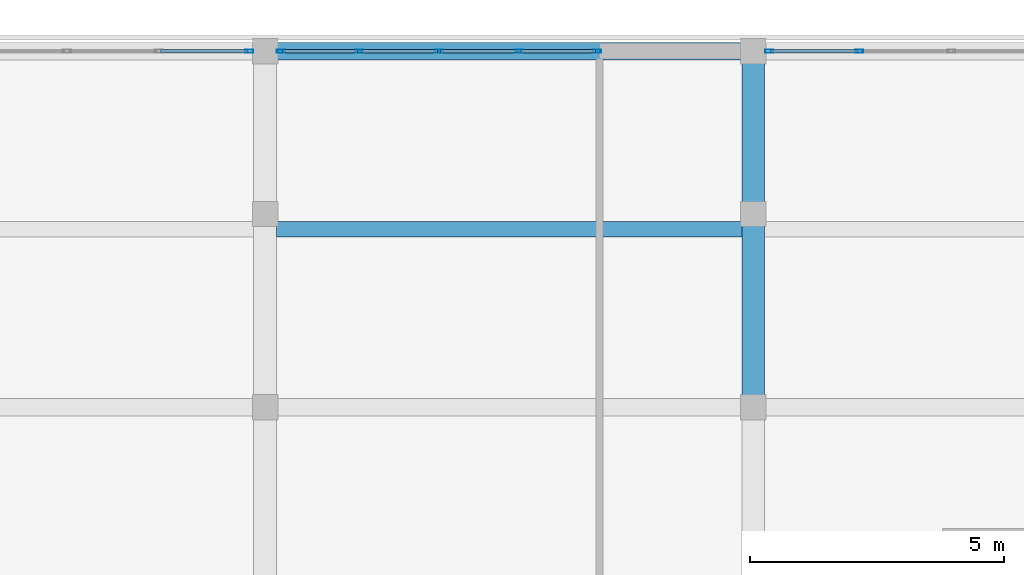
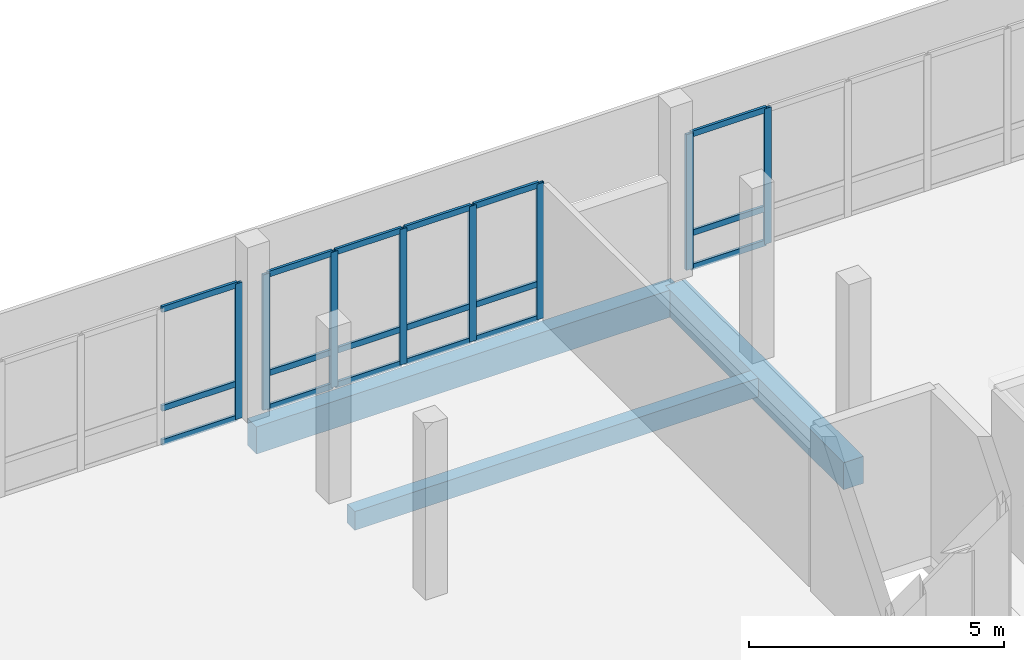
# One storey, part 15 of 29: 26 members, 3 beams, 3 elements without a shape of their own.
"""IFC4 building model written with IfcOpenShell, lengths in metres."""

from ifc_helpers import new_model, si_unit, direction, frame, origin, origin_2d, place, context, subcontext, project, spatial, rectangle, hollow_rectangle, extrude, material, material_profile, profile_set, type_object, element, aggregate, save


model = new_model("IFC4")

# Units and contexts
model_context = context("Model", 3, precision=1e-05, world=origin(), true_north=direction((0.0, 1.0)))
body_context = subcontext(model_context, "Body", "Model", "MODEL_VIEW")
ifc_project = project(units=[si_unit("LENGTHUNIT", "METRE"), si_unit("AREAUNIT", "SQUARE_METRE"), si_unit("VOLUMEUNIT", "CUBIC_METRE"), si_unit("PLANEANGLEUNIT", "RADIAN"), si_unit("MASSUNIT", "GRAM", prefix="KILO")], contexts=[model_context])

# Site, building, storey
site_placement = place(None, origin())
site = spatial("IfcSite", under=ifc_project, at=site_placement, CompositionType="ELEMENT")
building_placement = place(site_placement, origin())
building = spatial("IfcBuilding", under=site, at=building_placement, Name="Vondelvale Polytechnic", CompositionType="ELEMENT")
storey_placement = place(building_placement, frame((0.0, 0.0, 26.39990234375)))
storey = spatial("IfcBuildingStorey", under=building, at=storey_placement, Name="L06", CompositionType="ELEMENT", Elevation=26.39990234375)

# Beam
ifc_material_1 = material(Name="Concrete N40 (f'c = 40 MPa)", Category="concrete")
ifc_material_profile_1 = material_profile(ifc_material_1, rectangle(XDim=0.449951171875, YDim=0.64990234375, at=origin_2d()), Name="RC-BM-450x650")
ifc_profile_set_1 = profile_set([ifc_material_profile_1], Name="Concrete N40 (f'c = 40 MPa)")
beam_type_1 = type_object("IfcBeamType", Name="BM-RC450x650", PredefinedType="BEAM", material=ifc_profile_set_1)
beam_1_placement = place(storey_placement, frame((19.199951171875, 30.60009765625, -0.5498046875), z_axis=(0.0, 1.0, 0.0), x_axis=(-1.0, 0.0, 0.0)))
element("IfcBeam", 1, at=beam_1_placement, inside=storey, type_object=beam_type_1, Name="L06 B B-04", PredefinedType="BEAM", context=body_context, shape_type="SweptSolid", body=[
    extrude(rectangle(XDim=0.449951171875, YDim=0.64990234375, at=origin_2d()), origin(), (0.0, 0.0, 1.0), 7.0),
])

# Curtain wall, member
ifc_material_2 = material(Name="Anodised extruded aluminium 6063-T6", Category="aluminium")
curtain_wall_type = type_object("IfcCurtainWallType", Name="CW-STUDIO-NORTH", PredefinedType="NOTDEFINED", material=ifc_material_2)
curtain_wall_1_placement = place(storey_placement, origin())
curtain_wall_1 = element("IfcCurtainWall", 2, at=curtain_wall_1_placement, inside=storey, type_object=curtain_wall_type, Name="L06 architectural curtain wall CW-01-053", PredefinedType="NOTDEFINED")
ifc_material_profile_2 = material_profile(ifc_material_2, hollow_rectangle(XDim=0.06494140625, YDim=0.159912109375, WallThickness=0.0048828125, at=origin_2d()), Name="CW-MUL-160x65")
ifc_profile_set_2 = profile_set([ifc_material_profile_2], Name="Anodised extruded aluminium 6063-T6")
member_type_1 = type_object("IfcMemberType", Name="CW-MUL-65x160", PredefinedType="MULLION", material=ifc_profile_set_2)
member_1_placement = place(storey_placement, frame((9.28759765625, 37.60009765625, 0.0), z_axis=(0.0, 0.0, 1.0), x_axis=(0.0, 1.0, 0.0)))
member_1 = element("IfcMember", 3, at=member_1_placement, type_object=member_type_1, Name="CW-01-053 mullion 6", PredefinedType="MULLION", context=body_context, shape_type="SweptSolid", body=[
    extrude(hollow_rectangle(XDim=0.06494140625, YDim=0.159912109375, WallThickness=0.0048828125, at=origin_2d()), origin(), (0.0, 0.0, 1.0), 3.25),
])

# Curtain wall, members
curtain_wall_2_placement = place(storey_placement, origin())
curtain_wall_2 = element("IfcCurtainWall", 4, at=curtain_wall_2_placement, inside=storey, type_object=curtain_wall_type, Name="L06 architectural curtain wall CW-01-054", PredefinedType="NOTDEFINED")
member_2_placement = place(storey_placement, frame((9.91259765625, 37.60009765625, 0.0), z_axis=(0.0, 0.0, 1.0), x_axis=(0.0, 1.0, 0.0)))
member_2 = element("IfcMember", 5, at=member_2_placement, type_object=member_type_1, Name="CW-01-054 mullion 1", PredefinedType="MULLION", context=body_context, shape_type="SweptSolid", body=[
    extrude(hollow_rectangle(XDim=0.06494140625, YDim=0.159912109375, WallThickness=0.0048828125, at=origin_2d()), origin(), (0.0, 0.0, 1.0), 3.25),
])
member_3_placement = place(storey_placement, frame((11.449951171875, 37.60009765625, 0.0), z_axis=(0.0, 0.0, 1.0), x_axis=(0.0, 1.0, 0.0)))
member_3 = element("IfcMember", 6, at=member_3_placement, type_object=member_type_1, Name="CW-01-054 mullion 2", PredefinedType="MULLION", context=body_context, shape_type="SweptSolid", body=[
    extrude(hollow_rectangle(XDim=0.06494140625, YDim=0.159912109375, WallThickness=0.0048828125, at=origin_2d()), origin(), (0.0, 0.0, 1.0), 3.25),
])
member_4_placement = place(storey_placement, frame((13.02001953125, 37.60009765625, 0.0), z_axis=(0.0, 0.0, 1.0), x_axis=(0.0, 1.0, 0.0)))
member_4 = element("IfcMember", 7, at=member_4_placement, type_object=member_type_1, Name="CW-01-054 mullion 3", PredefinedType="MULLION", context=body_context, shape_type="SweptSolid", body=[
    extrude(hollow_rectangle(XDim=0.06494140625, YDim=0.159912109375, WallThickness=0.0048828125, at=origin_2d()), origin(), (0.0, 0.0, 1.0), 3.25),
])
member_5_placement = place(storey_placement, frame((14.590087890625, 37.60009765625, 0.0), z_axis=(0.0, 0.0, 1.0), x_axis=(0.0, 1.0, 0.0)))
member_5 = element("IfcMember", 8, at=member_5_placement, type_object=member_type_1, Name="CW-01-054 mullion 4", PredefinedType="MULLION", context=body_context, shape_type="SweptSolid", body=[
    extrude(hollow_rectangle(XDim=0.06494140625, YDim=0.159912109375, WallThickness=0.0048828125, at=origin_2d()), origin(), (0.0, 0.0, 1.0), 3.25),
])
member_6_placement = place(storey_placement, frame((16.12744140625, 37.60009765625, 0.0), z_axis=(0.0, 0.0, 1.0), x_axis=(0.0, 1.0, 0.0)))
member_6 = element("IfcMember", 9, at=member_6_placement, type_object=member_type_1, Name="CW-01-054 mullion 5", PredefinedType="MULLION", context=body_context, shape_type="SweptSolid", body=[
    extrude(hollow_rectangle(XDim=0.06494140625, YDim=0.159912109375, WallThickness=0.0048828125, at=origin_2d()), origin(), (0.0, 0.0, 1.0), 3.25),
])

curtain_wall_3_placement = place(storey_placement, origin())
curtain_wall_3 = element("IfcCurtainWall", 10, at=curtain_wall_3_placement, inside=storey, type_object=curtain_wall_type, Name="L06 architectural curtain wall CW-01-055", PredefinedType="NOTDEFINED")
member_7_placement = place(storey_placement, frame((19.512451171875, 37.60009765625, 0.0), z_axis=(0.0, 0.0, 1.0), x_axis=(0.0, 1.0, 0.0)))
member_7 = element("IfcMember", 11, at=member_7_placement, type_object=member_type_1, Name="CW-01-055 mullion 1", PredefinedType="MULLION", context=body_context, shape_type="SweptSolid", body=[
    extrude(hollow_rectangle(XDim=0.06494140625, YDim=0.159912109375, WallThickness=0.0048828125, at=origin_2d()), origin(), (0.0, 0.0, 1.0), 3.25),
])
member_8_placement = place(storey_placement, frame((21.2880859375, 37.60009765625, 0.0), z_axis=(0.0, 0.0, 1.0), x_axis=(0.0, 1.0, 0.0)))
member_8 = element("IfcMember", 12, at=member_8_placement, type_object=member_type_1, Name="CW-01-055 mullion 2", PredefinedType="MULLION", context=body_context, shape_type="SweptSolid", body=[
    extrude(hollow_rectangle(XDim=0.06494140625, YDim=0.159912109375, WallThickness=0.0048828125, at=origin_2d()), origin(), (0.0, 0.0, 1.0), 3.25),
])

# Member
ifc_material_profile_3 = material_profile(ifc_material_2, hollow_rectangle(XDim=0.06005859375, YDim=0.139892578125, WallThickness=0.00341796875, at=origin_2d()), Name="CW-TRN-140x60")
ifc_profile_set_3 = profile_set([ifc_material_profile_3], Name="Anodised extruded aluminium 6063-T6")
member_type_2 = type_object("IfcMemberType", Name="CW-TRN-60x140", PredefinedType="USERDEFINED", material=ifc_profile_set_3)
member_9_placement = place(storey_placement, frame((7.54443359375, 37.60009765625, 0.030029296875), z_axis=(1.0, 0.0, 0.0), x_axis=(0.0, 1.0, 0.0)))
member_9 = element("IfcMember", 13, at=member_9_placement, type_object=member_type_2, Name="CW-01-053 transom 5.1", ObjectType="TRANSOM", PredefinedType="USERDEFINED", context=body_context, shape_type="SweptSolid", body=[
    extrude(hollow_rectangle(XDim=0.06005859375, YDim=0.139892578125, WallThickness=0.00341796875, at=origin_2d()), origin(), (0.0, 0.0, 1.0), 1.71044921875),
])

member_10_placement = place(storey_placement, frame((7.54443359375, 37.60009765625, 0.85009765625), z_axis=(1.0, 0.0, 0.0), x_axis=(0.0, 1.0, 0.0)))
member_10 = element("IfcMember", 14, at=member_10_placement, type_object=member_type_2, Name="CW-01-053 transom 5.2", ObjectType="TRANSOM", PredefinedType="USERDEFINED", context=body_context, shape_type="SweptSolid", body=[
    extrude(hollow_rectangle(XDim=0.06005859375, YDim=0.139892578125, WallThickness=0.00341796875, at=origin_2d()), origin(), (0.0, 0.0, 1.0), 1.71044921875),
])

member_11_placement = place(storey_placement, frame((7.54443359375, 37.60009765625, 3.22021484375), z_axis=(1.0, 0.0, 0.0), x_axis=(0.0, 1.0, 0.0)))
member_11 = element("IfcMember", 15, at=member_11_placement, type_object=member_type_2, Name="CW-01-053 transom 5.3", ObjectType="TRANSOM", PredefinedType="USERDEFINED", context=body_context, shape_type="SweptSolid", body=[
    extrude(hollow_rectangle(XDim=0.06005859375, YDim=0.139892578125, WallThickness=0.00341796875, at=origin_2d()), origin(), (0.0, 0.0, 1.0), 1.71044921875),
])

aggregate(curtain_wall_1, [member_1, member_9, member_10, member_11])

member_12_placement = place(storey_placement, frame((9.945068359375, 37.60009765625, 0.030029296875), z_axis=(1.0, 0.0, 0.0), x_axis=(0.0, 1.0, 0.0)))
member_12 = element("IfcMember", 16, at=member_12_placement, type_object=member_type_2, Name="CW-01-054 transom 1.1", ObjectType="TRANSOM", PredefinedType="USERDEFINED", context=body_context, shape_type="SweptSolid", body=[
    extrude(hollow_rectangle(XDim=0.06005859375, YDim=0.139892578125, WallThickness=0.00341796875, at=origin_2d()), origin(), (0.0, 0.0, 1.0), 1.472412109375),
])

member_13_placement = place(storey_placement, frame((9.945068359375, 37.60009765625, 0.85009765625), z_axis=(1.0, 0.0, 0.0), x_axis=(0.0, 1.0, 0.0)))
member_13 = element("IfcMember", 17, at=member_13_placement, type_object=member_type_2, Name="CW-01-054 transom 1.2", ObjectType="TRANSOM", PredefinedType="USERDEFINED", context=body_context, shape_type="SweptSolid", body=[
    extrude(hollow_rectangle(XDim=0.06005859375, YDim=0.139892578125, WallThickness=0.00341796875, at=origin_2d()), origin(), (0.0, 0.0, 1.0), 1.472412109375),
])

member_14_placement = place(storey_placement, frame((9.945068359375, 37.60009765625, 3.22021484375), z_axis=(1.0, 0.0, 0.0), x_axis=(0.0, 1.0, 0.0)))
member_14 = element("IfcMember", 18, at=member_14_placement, type_object=member_type_2, Name="CW-01-054 transom 1.3", ObjectType="TRANSOM", PredefinedType="USERDEFINED", context=body_context, shape_type="SweptSolid", body=[
    extrude(hollow_rectangle(XDim=0.06005859375, YDim=0.139892578125, WallThickness=0.00341796875, at=origin_2d()), origin(), (0.0, 0.0, 1.0), 1.472412109375),
])

member_15_placement = place(storey_placement, frame((11.482421875, 37.60009765625, 0.030029296875), z_axis=(1.0, 0.0, 0.0), x_axis=(0.0, 1.0, 0.0)))
member_15 = element("IfcMember", 19, at=member_15_placement, type_object=member_type_2, Name="CW-01-054 transom 2.1", ObjectType="TRANSOM", PredefinedType="USERDEFINED", context=body_context, shape_type="SweptSolid", body=[
    extrude(hollow_rectangle(XDim=0.06005859375, YDim=0.139892578125, WallThickness=0.00341796875, at=origin_2d()), origin(), (0.0, 0.0, 1.0), 1.505126953125),
])

member_16_placement = place(storey_placement, frame((11.482421875, 37.60009765625, 0.85009765625), z_axis=(1.0, 0.0, 0.0), x_axis=(0.0, 1.0, 0.0)))
member_16 = element("IfcMember", 20, at=member_16_placement, type_object=member_type_2, Name="CW-01-054 transom 2.2", ObjectType="TRANSOM", PredefinedType="USERDEFINED", context=body_context, shape_type="SweptSolid", body=[
    extrude(hollow_rectangle(XDim=0.06005859375, YDim=0.139892578125, WallThickness=0.00341796875, at=origin_2d()), origin(), (0.0, 0.0, 1.0), 1.505126953125),
])

member_17_placement = place(storey_placement, frame((11.482421875, 37.60009765625, 3.22021484375), z_axis=(1.0, 0.0, 0.0), x_axis=(0.0, 1.0, 0.0)))
member_17 = element("IfcMember", 21, at=member_17_placement, type_object=member_type_2, Name="CW-01-054 transom 2.3", ObjectType="TRANSOM", PredefinedType="USERDEFINED", context=body_context, shape_type="SweptSolid", body=[
    extrude(hollow_rectangle(XDim=0.06005859375, YDim=0.139892578125, WallThickness=0.00341796875, at=origin_2d()), origin(), (0.0, 0.0, 1.0), 1.505126953125),
])

member_18_placement = place(storey_placement, frame((13.052490234375, 37.60009765625, 0.030029296875), z_axis=(1.0, 0.0, 0.0), x_axis=(0.0, 1.0, 0.0)))
member_18 = element("IfcMember", 22, at=member_18_placement, type_object=member_type_2, Name="CW-01-054 transom 3.1", ObjectType="TRANSOM", PredefinedType="USERDEFINED", context=body_context, shape_type="SweptSolid", body=[
    extrude(hollow_rectangle(XDim=0.06005859375, YDim=0.139892578125, WallThickness=0.00341796875, at=origin_2d()), origin(), (0.0, 0.0, 1.0), 1.505126953125),
])

member_19_placement = place(storey_placement, frame((13.052490234375, 37.60009765625, 0.85009765625), z_axis=(1.0, 0.0, 0.0), x_axis=(0.0, 1.0, 0.0)))
member_19 = element("IfcMember", 23, at=member_19_placement, type_object=member_type_2, Name="CW-01-054 transom 3.2", ObjectType="TRANSOM", PredefinedType="USERDEFINED", context=body_context, shape_type="SweptSolid", body=[
    extrude(hollow_rectangle(XDim=0.06005859375, YDim=0.139892578125, WallThickness=0.00341796875, at=origin_2d()), origin(), (0.0, 0.0, 1.0), 1.505126953125),
])

member_20_placement = place(storey_placement, frame((13.052490234375, 37.60009765625, 3.22021484375), z_axis=(1.0, 0.0, 0.0), x_axis=(0.0, 1.0, 0.0)))
member_20 = element("IfcMember", 24, at=member_20_placement, type_object=member_type_2, Name="CW-01-054 transom 3.3", ObjectType="TRANSOM", PredefinedType="USERDEFINED", context=body_context, shape_type="SweptSolid", body=[
    extrude(hollow_rectangle(XDim=0.06005859375, YDim=0.139892578125, WallThickness=0.00341796875, at=origin_2d()), origin(), (0.0, 0.0, 1.0), 1.505126953125),
])

member_21_placement = place(storey_placement, frame((14.62255859375, 37.60009765625, 0.030029296875), z_axis=(1.0, 0.0, 0.0), x_axis=(0.0, 1.0, 0.0)))
member_21 = element("IfcMember", 25, at=member_21_placement, type_object=member_type_2, Name="CW-01-054 transom 4.1", ObjectType="TRANSOM", PredefinedType="USERDEFINED", context=body_context, shape_type="SweptSolid", body=[
    extrude(hollow_rectangle(XDim=0.06005859375, YDim=0.139892578125, WallThickness=0.00341796875, at=origin_2d()), origin(), (0.0, 0.0, 1.0), 1.472412109375),
])

member_22_placement = place(storey_placement, frame((14.62255859375, 37.60009765625, 0.85009765625), z_axis=(1.0, 0.0, 0.0), x_axis=(0.0, 1.0, 0.0)))
member_22 = element("IfcMember", 26, at=member_22_placement, type_object=member_type_2, Name="CW-01-054 transom 4.2", ObjectType="TRANSOM", PredefinedType="USERDEFINED", context=body_context, shape_type="SweptSolid", body=[
    extrude(hollow_rectangle(XDim=0.06005859375, YDim=0.139892578125, WallThickness=0.00341796875, at=origin_2d()), origin(), (0.0, 0.0, 1.0), 1.472412109375),
])

member_23_placement = place(storey_placement, frame((14.62255859375, 37.60009765625, 3.22021484375), z_axis=(1.0, 0.0, 0.0), x_axis=(0.0, 1.0, 0.0)))
member_23 = element("IfcMember", 27, at=member_23_placement, type_object=member_type_2, Name="CW-01-054 transom 4.3", ObjectType="TRANSOM", PredefinedType="USERDEFINED", context=body_context, shape_type="SweptSolid", body=[
    extrude(hollow_rectangle(XDim=0.06005859375, YDim=0.139892578125, WallThickness=0.00341796875, at=origin_2d()), origin(), (0.0, 0.0, 1.0), 1.472412109375),
])

aggregate(curtain_wall_2, [member_2, member_3, member_4, member_5, member_6, member_12, member_13, member_14, member_15, member_16, member_17, member_18, member_19, member_20, member_21, member_22, member_23])

member_24_placement = place(storey_placement, frame((19.544921875, 37.60009765625, 0.030029296875), z_axis=(1.0, 0.0, 0.0), x_axis=(0.0, 1.0, 0.0)))
member_24 = element("IfcMember", 28, at=member_24_placement, type_object=member_type_2, Name="CW-01-055 transom 1.1", ObjectType="TRANSOM", PredefinedType="USERDEFINED", context=body_context, shape_type="SweptSolid", body=[
    extrude(hollow_rectangle(XDim=0.06005859375, YDim=0.139892578125, WallThickness=0.00341796875, at=origin_2d()), origin(), (0.0, 0.0, 1.0), 1.710693359375),
])

member_25_placement = place(storey_placement, frame((19.544921875, 37.60009765625, 0.85009765625), z_axis=(1.0, 0.0, 0.0), x_axis=(0.0, 1.0, 0.0)))
member_25 = element("IfcMember", 29, at=member_25_placement, type_object=member_type_2, Name="CW-01-055 transom 1.2", ObjectType="TRANSOM", PredefinedType="USERDEFINED", context=body_context, shape_type="SweptSolid", body=[
    extrude(hollow_rectangle(XDim=0.06005859375, YDim=0.139892578125, WallThickness=0.00341796875, at=origin_2d()), origin(), (0.0, 0.0, 1.0), 1.710693359375),
])

member_26_placement = place(storey_placement, frame((19.544921875, 37.60009765625, 3.22021484375), z_axis=(1.0, 0.0, 0.0), x_axis=(0.0, 1.0, 0.0)))
member_26 = element("IfcMember", 30, at=member_26_placement, type_object=member_type_2, Name="CW-01-055 transom 1.3", ObjectType="TRANSOM", PredefinedType="USERDEFINED", context=body_context, shape_type="SweptSolid", body=[
    extrude(hollow_rectangle(XDim=0.06005859375, YDim=0.139892578125, WallThickness=0.00341796875, at=origin_2d()), origin(), (0.0, 0.0, 1.0), 1.710693359375),
])

aggregate(curtain_wall_3, [member_7, member_8, member_24, member_25, member_26])

# Beams
ifc_material_profile_4 = material_profile(ifc_material_1, rectangle(XDim=0.300048828125, YDim=0.449951171875, at=origin_2d()), Name="RC-JST-300x450")
ifc_profile_set_4 = profile_set([ifc_material_profile_4], Name="Concrete N40 (f'c = 40 MPa)")
beam_type_2 = type_object("IfcBeamType", Name="JST-RC300x450", PredefinedType="JOIST", material=ifc_profile_set_4)
beam_2_placement = place(storey_placement, frame((9.824951171875, 34.10009765625, -0.449951171875), z_axis=(1.0, 0.0, 0.0), x_axis=(0.0, 1.0, 0.0)))
element("IfcBeam", 31, at=beam_2_placement, inside=storey, type_object=beam_type_2, Name="L06 J J-03", PredefinedType="JOIST", context=body_context, shape_type="SweptSolid", body=[
    extrude(rectangle(XDim=0.300048828125, YDim=0.449951171875, at=origin_2d()), origin(), (0.0, 0.0, 1.0), 9.150146484375),
])
ifc_material_3 = material(Name="Precast concrete N40 (f'c = 40 MPa)", Category="concrete")
ifc_material_profile_5 = material_profile(ifc_material_3, rectangle(XDim=0.35009765625, YDim=0.64990234375, at=origin_2d()), Name="RC-SPN-350x650")
ifc_profile_set_5 = profile_set([ifc_material_profile_5], Name="Precast concrete N40 (f'c = 40 MPa)")
beam_type_3 = type_object("IfcBeamType", Name="SPN-PRE350x650", PredefinedType="SPANDREL", material=ifc_profile_set_5)
beam_3_placement = place(storey_placement, frame((9.60009765625, 37.60009765625, -0.5498046875), z_axis=(1.0, 0.0, 0.0), x_axis=(0.0, 1.0, 0.0)))
element("IfcBeam", 32, at=beam_3_placement, inside=storey, type_object=beam_type_3, Name="L06 B SP-02", PredefinedType="SPANDREL", context=body_context, shape_type="SweptSolid", body=[
    extrude(rectangle(XDim=0.35009765625, YDim=0.64990234375, at=origin_2d()), origin(), (0.0, 0.0, 1.0), 9.599853515625),
])

save(model, "model.ifc")
